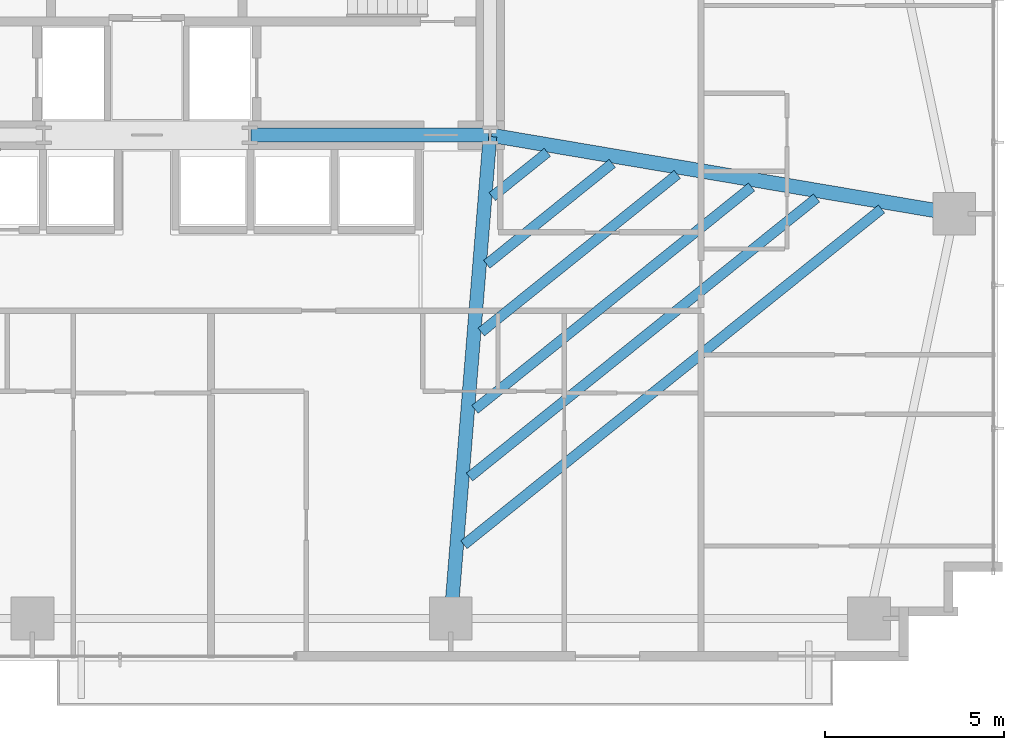
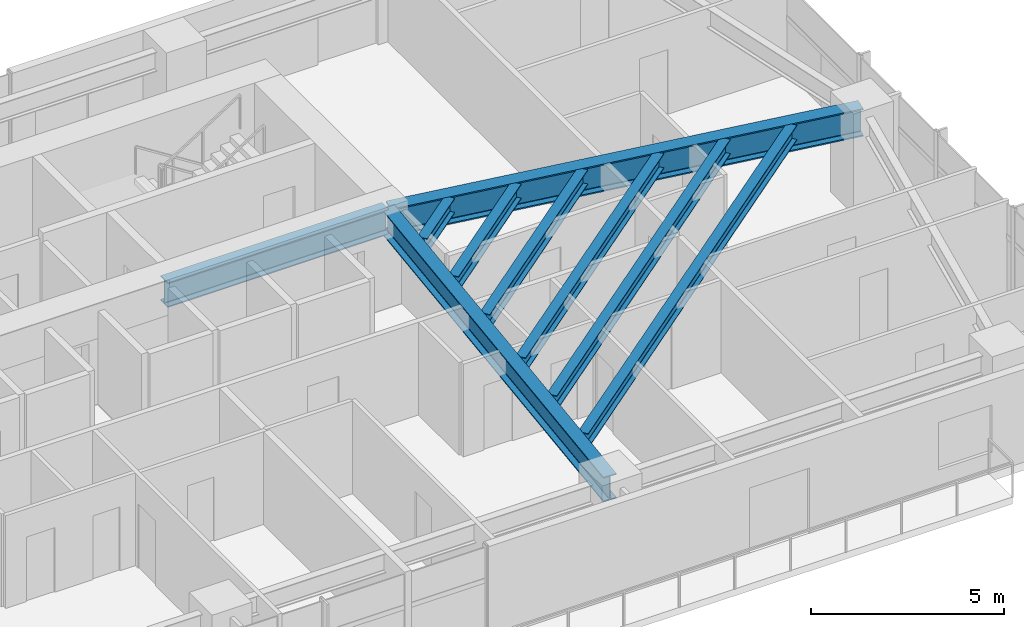
# One storey, part 13 of 25: 9 beams.
"""IFC4 building model written with IfcOpenShell, lengths in metres."""

from ifc_helpers import new_model, si_unit, direction, frame, origin, origin_2d, place, context, subcontext, project, spatial, i_section, extrude, source, transform, mapped, material, material_profile, profile_set, type_object, type_shapes, element, save


model = new_model("IFC4")

# Units and contexts
model_context = context("Model", 3, precision=1e-05, world=origin(), true_north=direction((0.0, 1.0)))
body_context = subcontext(model_context, "Body", "Model", "MODEL_VIEW")
ifc_project = project(units=[si_unit("LENGTHUNIT", "METRE"), si_unit("AREAUNIT", "SQUARE_METRE"), si_unit("VOLUMEUNIT", "CUBIC_METRE"), si_unit("PLANEANGLEUNIT", "RADIAN"), si_unit("MASSUNIT", "GRAM", prefix="KILO")], contexts=[model_context])

# Site, building, storey
site_placement = place(None, origin())
site = spatial("IfcSite", under=ifc_project, at=site_placement, CompositionType="ELEMENT")
building_placement = place(site_placement, origin())
building = spatial("IfcBuilding", under=site, at=building_placement, Name="Astriad Promenade Condominiums", CompositionType="ELEMENT")
storey_placement = place(building_placement, frame((0.0, 0.0, 39.0)))
storey = spatial("IfcBuildingStorey", under=building, at=storey_placement, Name="L10", CompositionType="ELEMENT", Elevation=39.0)

# Beams
ifc_material = material(Name="Steel ASTM A992 Grade 50", Category="steel")
ifc_material_profile_1 = material_profile(ifc_material, i_section(OverallWidth=0.3837890625, OverallDepth=0.785888671875, WebThickness=0.019775390625, FlangeThickness=0.033447265625, FilletRadius=0.021484375, at=origin_2d()), Name="W30X211")
ifc_profile_set_1 = profile_set([ifc_material_profile_1], Name="Steel ASTM A992 Grade 50")
beam_type_1 = type_object("IfcBeamType", Name="STEEL FLOOR GIRDER W30X211", PredefinedType="BEAM", material=ifc_profile_set_1)
shared_shape_1 = source(origin(), body_context, "Body", "SweptSolid", [
    extrude(i_section(OverallWidth=0.3837890625, OverallDepth=0.785888671875, WebThickness=0.019775390625, FlangeThickness=0.033447265625, FilletRadius=0.021484375, at=origin_2d()), origin(), (0.0, 0.0, 1.0), 6.64013671875),
])
beam_1_placement = place(storey_placement, frame((38.919921875, 17.39990234375, 2.547119140625), z_axis=(1.0, 0.0, 0.0), x_axis=(0.0, 1.0, 0.0)))
element("IfcBeam", 1, at=beam_1_placement, inside=storey, type_object=beam_type_1, Name="Core Ring Beam CG-S3-L10", PredefinedType="BEAM", context=body_context, shape_type="MappedRepresentation", body=[
    mapped(shared_shape_1, transform((0.0, 0.0, 0.0), scale=1.0)),
])
shared_shape_2 = source(origin(), body_context, "Body", "SweptSolid", [
    extrude(i_section(OverallWidth=0.3837890625, OverallDepth=0.785888671875, WebThickness=0.019775390625, FlangeThickness=0.033447265625, FilletRadius=0.021484375, at=origin_2d()), origin(), (0.0, 0.0, 1.0), 13.484619140625),
])
type_shapes(beam_type_1, [shared_shape_1, shared_shape_2])
beam_2_placement = place(storey_placement, frame((44.503173828125, 3.919921875, 2.547119140625), z_axis=(0.081092961134, 0.996706542396, 0.0), x_axis=(-0.996706542396, 0.081092961134, 0.0)))
element("IfcBeam", 2, at=beam_2_placement, inside=storey, type_object=beam_type_1, Name="Primary Floor Girder PG-E2-L10", PredefinedType="BEAM", context=body_context, shape_type="MappedRepresentation", body=[
    mapped(shared_shape_2, transform((0.0, 0.0, 0.0), scale=1.0)),
])
ifc_material_profile_2 = material_profile(ifc_material, i_section(OverallWidth=0.4013671875, OverallDepth=0.877197265625, WebThickness=0.022216796875, FlangeThickness=0.039794921875, FilletRadius=0.02294921875, at=origin_2d()), Name="W33X263")
ifc_profile_set_2 = profile_set([ifc_material_profile_2], Name="Steel ASTM A992 Grade 50")
beam_type_2 = type_object("IfcBeamType", Name="STEEL PRIMARY GIRDER W33X263", PredefinedType="BEAM", material=ifc_profile_set_2)
shared_shape_3 = source(origin(), body_context, "Body", "SweptSolid", [
    extrude(i_section(OverallWidth=0.4013671875, OverallDepth=0.877197265625, WebThickness=0.022216796875, FlangeThickness=0.039794921875, FilletRadius=0.02294921875, at=origin_2d()), origin(), (0.0, 0.0, 1.0), 13.085205078125),
])
type_shapes(beam_type_2, [shared_shape_3])
beam_3_placement = place(storey_placement, frame((58.54052734375, 15.206787109375, 2.50146484375), z_axis=(-0.985939912267, 0.167100237577, 0.0), x_axis=(-0.167100237577, -0.985939912267, 0.0)))
element("IfcBeam", 3, at=beam_3_placement, inside=storey, type_object=beam_type_2, Name="Primary Floor Girder PG-EM-L10", PredefinedType="BEAM", context=body_context, shape_type="MappedRepresentation", body=[
    mapped(shared_shape_3, transform((0.0, 0.0, 0.0), scale=1.0)),
])
ifc_material_profile_3 = material_profile(ifc_material, i_section(OverallWidth=0.283203125, OverallDepth=0.47216796875, WebThickness=0.013671875, FlangeThickness=0.022216796875, FilletRadius=0.01513671875, at=origin_2d()), Name="W18X97")
ifc_profile_set_3 = profile_set([ifc_material_profile_3], Name="Steel ASTM A992 Grade 50")
beam_type_3 = type_object("IfcBeamType", Name="STEEL FLOOR JOIST W18X97", PredefinedType="JOIST", material=ifc_profile_set_3)
shared_shape_4 = source(origin(), body_context, "Body", "SweptSolid", [
    extrude(i_section(OverallWidth=0.283203125, OverallDepth=0.47216796875, WebThickness=0.013671875, FlangeThickness=0.022216796875, FilletRadius=0.01513671875, at=origin_2d()), origin(), (0.0, 0.0, 1.0), 14.984375),
])
beam_4_placement = place(storey_placement, frame((44.867919921875, 5.944580078125, 2.703857421875), z_axis=(0.77934368876, 0.626596692291, 0.0), x_axis=(-0.626596692291, 0.77934368876, 0.0)))
element("IfcBeam", 4, at=beam_4_placement, inside=storey, type_object=beam_type_3, Name="Secondary Composite Floor Joist JE1-1-L10", PredefinedType="JOIST", context=body_context, shape_type="MappedRepresentation", body=[
    mapped(shared_shape_4, transform((0.0, 0.0, 0.0), scale=1.0)),
])
shared_shape_5 = source(origin(), body_context, "Body", "SweptSolid", [
    extrude(i_section(OverallWidth=0.283203125, OverallDepth=0.47216796875, WebThickness=0.013671875, FlangeThickness=0.022216796875, FilletRadius=0.01513671875, at=origin_2d()), origin(), (0.0, 0.0, 1.0), 12.455078125),
])
beam_5_placement = place(storey_placement, frame((45.021728515625, 7.83740234375, 2.703857421875), z_axis=(0.77935577594, 0.626581658292, 0.0), x_axis=(-0.626581658292, 0.77935577594, 0.0)))
element("IfcBeam", 5, at=beam_5_placement, inside=storey, type_object=beam_type_3, Name="Secondary Composite Floor Joist JE1-2-L10", PredefinedType="JOIST", context=body_context, shape_type="MappedRepresentation", body=[
    mapped(shared_shape_5, transform((0.0, 0.0, 0.0), scale=1.0)),
])
shared_shape_6 = source(origin(), body_context, "Body", "SweptSolid", [
    extrude(i_section(OverallWidth=0.283203125, OverallDepth=0.47216796875, WebThickness=0.013671875, FlangeThickness=0.022216796875, FilletRadius=0.01513671875, at=origin_2d()), origin(), (0.0, 0.0, 1.0), 9.926025390625),
])
beam_6_placement = place(storey_placement, frame((45.17578125, 9.730224609375, 2.703857421875), z_axis=(0.779352355084, 0.626585913203, 0.0), x_axis=(-0.626585913203, 0.779352355084, 0.0)))
element("IfcBeam", 6, at=beam_6_placement, inside=storey, type_object=beam_type_3, Name="Secondary Composite Floor Joist JE1-3-L10", PredefinedType="JOIST", context=body_context, shape_type="MappedRepresentation", body=[
    mapped(shared_shape_6, transform((0.0, 0.0, 0.0), scale=1.0)),
])
shared_shape_7 = source(origin(), body_context, "Body", "SweptSolid", [
    extrude(i_section(OverallWidth=0.283203125, OverallDepth=0.47216796875, WebThickness=0.013671875, FlangeThickness=0.022216796875, FilletRadius=0.01513671875, at=origin_2d()), origin(), (0.0, 0.0, 1.0), 7.03515625),
])
beam_7_placement = place(storey_placement, frame((45.351806640625, 11.8935546875, 2.703857421875), z_axis=(0.779349752639, 0.626589150131, 0.0), x_axis=(-0.626589150131, 0.779349752639, 0.0)))
element("IfcBeam", 7, at=beam_7_placement, inside=storey, type_object=beam_type_3, Name="Secondary Composite Floor Joist JE1-4-L10", PredefinedType="JOIST", context=body_context, shape_type="MappedRepresentation", body=[
    mapped(shared_shape_7, transform((0.0, 0.0, 0.0), scale=1.0)),
])
shared_shape_8 = source(origin(), body_context, "Body", "SweptSolid", [
    extrude(i_section(OverallWidth=0.283203125, OverallDepth=0.47216796875, WebThickness=0.013671875, FlangeThickness=0.022216796875, FilletRadius=0.01513671875, at=origin_2d()), origin(), (0.0, 0.0, 1.0), 4.505859375),
])
beam_8_placement = place(storey_placement, frame((45.505859375, 13.786376953125, 2.703857421875), z_axis=(0.779365294733, 0.626569818429, 0.0), x_axis=(-0.626569818429, 0.779365294733, 0.0)))
element("IfcBeam", 8, at=beam_8_placement, inside=storey, type_object=beam_type_3, Name="Secondary Composite Floor Joist JE1-5-L10", PredefinedType="JOIST", context=body_context, shape_type="MappedRepresentation", body=[
    mapped(shared_shape_8, transform((0.0, 0.0, 0.0), scale=1.0)),
])
shared_shape_9 = source(origin(), body_context, "Body", "SweptSolid", [
    extrude(i_section(OverallWidth=0.283203125, OverallDepth=0.47216796875, WebThickness=0.013671875, FlangeThickness=0.022216796875, FilletRadius=0.01513671875, at=origin_2d()), origin(), (0.0, 0.0, 1.0), 1.9765625),
])
type_shapes(beam_type_3, [shared_shape_4, shared_shape_5, shared_shape_6, shared_shape_7, shared_shape_8, shared_shape_9])
beam_9_placement = place(storey_placement, frame((45.659912109375, 15.67919921875, 2.703857421875), z_axis=(0.77936029648, 0.626576035506, 0.0), x_axis=(-0.626576035506, 0.77936029648, 0.0)))
element("IfcBeam", 9, at=beam_9_placement, inside=storey, type_object=beam_type_3, Name="Secondary Composite Floor Joist JE1-6-L10", PredefinedType="JOIST", context=body_context, shape_type="MappedRepresentation", body=[
    mapped(shared_shape_9, transform((0.0, 0.0, 0.0), scale=1.0)),
])

save(model, "model.ifc")
